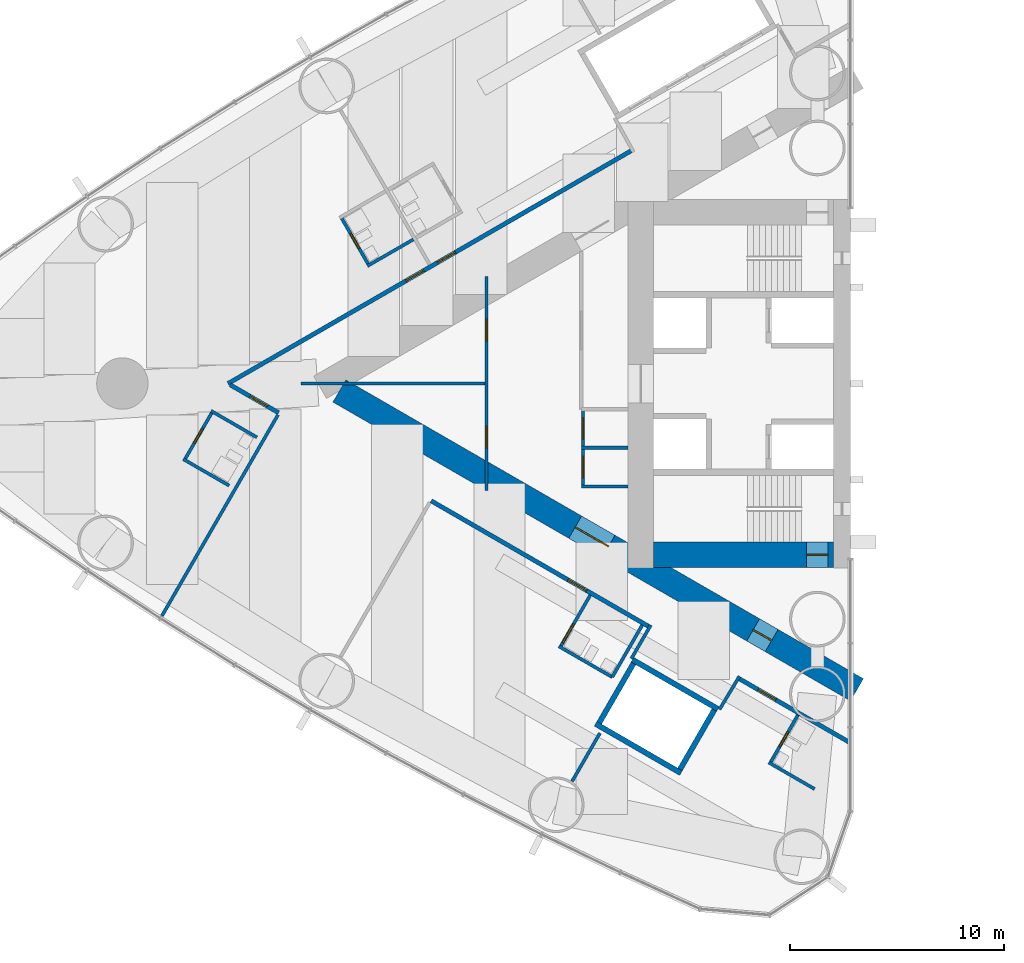
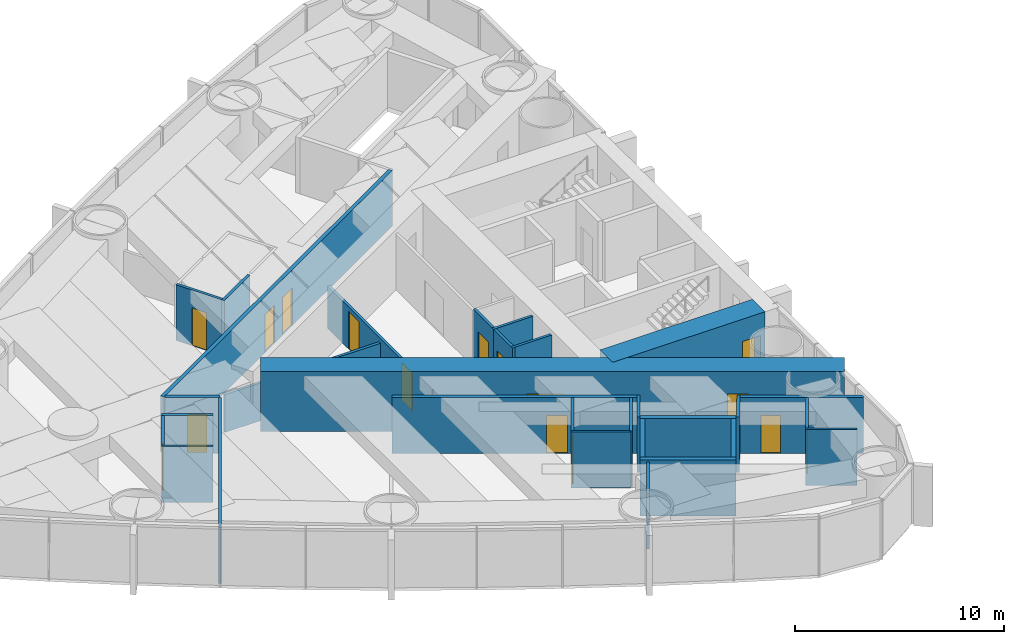
# One storey, part 11 of 18: 30 walls, 16 doors, 16 openings.
"""IFC4 building model written with IfcOpenShell, lengths in metres."""

import ifcopenshell
import ifcopenshell.guid

model = None  # the IFC model being written
_history = None  # IfcOwnerHistory: only IFC2X3 demands one
_inside = {}  # id of a spatial element -> (the spatial element, [elements in it])
_under = {}  # id of a project, library or spatial element -> (it, [spatial elements below it])
_declared = {}  # id of a project -> (the project, [libraries it declares])
_typed = {}  # id of a type object -> (the type object, [elements of that type])
_made_of = {}  # id of a material, layer set ... -> (it, [elements and type objects made of it])


def new_model(schema):
    """Start an empty IFC model of exactly this schema.

    Asked for "IFC4X3", IfcOpenShell would pick the latest addendum, in which some entities
    have other attributes; the version numbers below select the first issue.
    IFC2X3 requires an IfcOwnerHistory on every rooted entity: one is made here for all.
    """
    global model, _history
    if schema == "IFC4X3":
        model = ifcopenshell.file(schema_version=(4, 3, 0, 0))
    else:
        model = ifcopenshell.file(schema=schema)
    _inside.clear()
    _under.clear()
    _declared.clear()
    _typed.clear()
    _made_of.clear()
    _history = None
    if model.schema == "IFC2X3":
        org = make("IfcOrganization", Name="unknown")
        user = make(
            "IfcPersonAndOrganization",
            ThePerson=make("IfcPerson", FamilyName="unknown"),
            TheOrganization=org,
        )
        app = make(
            "IfcApplication",
            ApplicationDeveloper=org,
            Version="unknown",
            ApplicationFullName="unknown",
            ApplicationIdentifier="unknown",
        )
        _history = make(
            "IfcOwnerHistory",
            OwningUser=user,
            OwningApplication=app,
            ChangeAction="ADDED",
            CreationDate=0,
        )
    return model


def make(cls, **values):
    """One entity of the class cls with the attributes given. An attribute that is None is left unset."""
    return model.create_entity(
        cls, **{name: value for name, value in values.items() if value is not None}
    )


def rooted(cls, **values):
    """An entity with a GlobalId (a new one), such as an element, a storey or a relation."""
    return make(cls, GlobalId=ifcopenshell.guid.new(), OwnerHistory=_history, **values)


def si_unit(unit_type, name, prefix=None):
    """IfcSIUnit, for example si_unit("LENGTHUNIT", "METRE", prefix="MILLI")."""
    return make("IfcSIUnit", UnitType=unit_type, Prefix=prefix, Name=name)


def assignment(units):
    """IfcUnitAssignment: the units of a project."""
    return None if units is None else make("IfcUnitAssignment", Units=units)


def point(xyz):
    """IfcCartesianPoint."""
    return None if xyz is None else make("IfcCartesianPoint", Coordinates=xyz)


def direction(xyz):
    """IfcDirection."""
    return None if xyz is None else make("IfcDirection", DirectionRatios=xyz)


def frame(location, z_axis=None, x_axis=None):
    """IfcAxis2Placement3D, a coordinate frame: its origin and axes. An axis left out is left unset."""
    return make(
        "IfcAxis2Placement3D",
        Location=point(location),
        Axis=direction(z_axis),
        RefDirection=direction(x_axis),
    )


def frame_2d(location, x_axis=None):
    """IfcAxis2Placement2D, a coordinate frame in the plane: its origin and x axis."""
    return make(
        "IfcAxis2Placement2D", Location=point(location), RefDirection=direction(x_axis)
    )


def origin():
    """The frame at (0, 0, 0) with its axes left unset."""
    return frame((0.0, 0.0, 0.0))


def place(relative_to, where):
    """IfcLocalPlacement: puts the frame where relative to a parent placement (None: the world)."""
    return make(
        "IfcLocalPlacement", PlacementRelTo=relative_to, RelativePlacement=where
    )


def context(
    kind, dimensions, precision=None, world=None, true_north=None, identifier=None
):
    """IfcGeometricRepresentationContext, for example the 3D "Model" context."""
    return make(
        "IfcGeometricRepresentationContext",
        ContextIdentifier=identifier,
        ContextType=kind,
        CoordinateSpaceDimension=dimensions,
        Precision=precision,
        WorldCoordinateSystem=world,
        TrueNorth=true_north,
    )


def subcontext(parent, identifier, kind, view, scale=None):
    """IfcGeometricRepresentationSubContext, for example "Body" below "Model"."""
    return make(
        "IfcGeometricRepresentationSubContext",
        ContextIdentifier=identifier,
        ContextType=kind,
        ParentContext=parent,
        TargetScale=scale,
        TargetView=view,
    )


def project(units=None, contexts=None):
    """IfcProject with its units and contexts."""
    return rooted(
        "IfcProject",
        Name="project",
        RepresentationContexts=contexts,
        UnitsInContext=assignment(units),
    )


def spatial(cls, under=None, at=None, **own):
    """A site, building, storey or space (cls), placed at a placement, below another one or the project."""
    s = rooted(cls, ObjectPlacement=at, **own)
    if under is not None:
        _under.setdefault(under.id(), (under, []))[1].append(s)
    return s


def profile(cls, at=None, kind="AREA", **sizes):
    """A parametric profile (cls). Its sizes go by their IFC names, for example OverallWidth=200.0."""
    return make(cls, ProfileType=kind, Position=at, **sizes)


def rectangle(**sizes):
    """IfcRectangleProfileDef."""
    return profile("IfcRectangleProfileDef", **sizes)


def extrude(swept, where, along, depth):
    """IfcExtrudedAreaSolid: the profile swept, set in the frame where, extruded along a direction by depth."""
    return make(
        "IfcExtrudedAreaSolid",
        SweptArea=swept,
        Position=where,
        ExtrudedDirection=direction(along),
        Depth=depth,
    )


def shape(context_of_items, identifier, shape_type, items):
    """IfcShapeRepresentation: the items that make up one representation, for example the "Body"."""
    return make(
        "IfcShapeRepresentation",
        ContextOfItems=context_of_items,
        RepresentationIdentifier=identifier,
        RepresentationType=shape_type,
        Items=items,
    )


def material(Name=None, Category=None):
    """IfcMaterial."""
    return make("IfcMaterial", Name=Name, Category=Category)


def layer(
    of_material, thickness, ventilated=None, Name=None, Category=None, Priority=None
):
    """IfcMaterialLayer: one layer of a wall or slab, of a material (None: an air gap)."""
    return make(
        "IfcMaterialLayer",
        Material=of_material,
        LayerThickness=thickness,
        IsVentilated=ventilated,
        Name=Name,
        Category=Category,
        Priority=Priority,
    )


def layer_set(layers, Name=None):
    """IfcMaterialLayerSet."""
    return make("IfcMaterialLayerSet", MaterialLayers=layers, LayerSetName=Name)


def made_of(thing, what):
    """Note that an element or type object is made of a material, layer set ...; save() writes the relation."""
    if what is not None:
        _made_of.setdefault(what.id(), (what, []))[1].append(thing)
    return thing


def type_object(cls, material=None, **own):
    """A type object (cls), such as IfcWallType, which elements share."""
    return made_of(rooted(cls, **own), material)


def element(
    cls,
    number,
    at=None,
    inside=None,
    cuts=None,
    type_object=None,
    material=None,
    context=None,
    identifier="Body",
    shape_type=None,
    held_by="IfcProductDefinitionShape",
    body=None,
    shapes=None,
    **own,
):
    """One element of the class cls, such as IfcWall. Its Tag is "e" and its number.

    at: its placement. inside: the storey or other place that contains it. cuts: it is an
    opening in that element (IfcRelVoidsElement). A single representation is given by context,
    identifier, shape_type and body (its items); several are given by shapes. held_by: the class
    of the entity that holds the representations. save() writes the other relations.
    """
    e = rooted(cls, Tag="e%d" % number, ObjectPlacement=at, **own)
    if body is not None:
        shapes = [shape(context, identifier, shape_type, body)]
    if shapes is not None:
        e.Representation = make(held_by, Representations=shapes)
    if inside is not None:
        _inside.setdefault(inside.id(), (inside, []))[1].append(e)
    if cuts is not None:
        rooted(
            "IfcRelVoidsElement", RelatingBuildingElement=cuts, RelatedOpeningElement=e
        )
    if type_object is not None:
        _typed.setdefault(type_object.id(), (type_object, []))[1].append(e)
    return made_of(e, material)


def fill(opening, filler):
    """IfcRelFillsElement: the door or window that sits in an opening."""
    return rooted(
        "IfcRelFillsElement",
        RelatingOpeningElement=opening,
        RelatedBuildingElement=filler,
    )


def aggregate(whole, parts):
    """IfcRelAggregates: a whole, such as a stair, and the parts it consists of."""
    return rooted("IfcRelAggregates", RelatingObject=whole, RelatedObjects=parts)


def save(model, path):
    """Write the relations noted so far, then the file.

    IfcRelAggregates (storeys below a building ...), IfcRelContainedInSpatialStructure (elements
    in a storey), IfcRelDefinesByType, IfcRelAssociatesMaterial and IfcRelDeclares: one each for
    every whole, place, type object, material and project.
    """
    for whole, parts in _under.values():
        aggregate(whole, parts)
    for where, things in _inside.values():
        rooted(
            "IfcRelContainedInSpatialStructure",
            RelatedElements=things,
            RelatingStructure=where,
        )
    for kind, things in _typed.values():
        rooted("IfcRelDefinesByType", RelatedObjects=things, RelatingType=kind)
    for what, things in _made_of.values():
        rooted("IfcRelAssociatesMaterial", RelatedObjects=things, RelatingMaterial=what)
    for by, libraries in _declared.values():
        rooted("IfcRelDeclares", RelatingContext=by, RelatedDefinitions=libraries)
    model.write(path)


model = new_model("IFC4")

# Units and contexts
model_context = context("Model", 3, precision=1e-05, world=origin(), true_north=direction((0.0, 1.0)))
body_context = subcontext(model_context, "Body", "Model", "MODEL_VIEW")
ifc_project = project(units=[si_unit("LENGTHUNIT", "METRE"), si_unit("AREAUNIT", "SQUARE_METRE"), si_unit("VOLUMEUNIT", "CUBIC_METRE"), si_unit("PLANEANGLEUNIT", "RADIAN"), si_unit("MASSUNIT", "GRAM", prefix="KILO")], contexts=[model_context])

# Site, building, storey
site_placement = place(None, origin())
site = spatial("IfcSite", under=ifc_project, at=site_placement, CompositionType="ELEMENT")
building_placement = place(site_placement, origin())
building = spatial("IfcBuilding", under=site, at=building_placement, Name="Lancet Gate Hotel", CompositionType="ELEMENT")
storey_placement = place(building_placement, frame((0.0, 0.0, 115.10009765625)))
storey = spatial("IfcBuildingStorey", under=building, at=storey_placement, Name="L30", CompositionType="ELEMENT", Elevation=115.10009765625)

# Wall, opening, door
ifc_material_1 = material(Name="Moisture resistant board partition")
ifc_layer_1 = layer(ifc_material_1, 0.14990234375)
ifc_layer_set_1 = layer_set([ifc_layer_1], Name="Bathroom wall 150")
wall_type_1 = type_object("IfcWallType", Name="Bathroom wall 150", PredefinedType="PARTITIONING", material=ifc_layer_set_1)
wall_1_placement = place(storey_placement, frame((-49.99462890625, 5.52734375, 0.0), z_axis=(0.0, 0.0, 1.0), x_axis=(-0.500006934395, 0.866021400173, 0.0)))
wall_1 = element("IfcWall", 1, at=wall_1_placement, inside=storey, type_object=wall_type_1, Name="T1 bathroom wall 150 L30", PredefinedType="PARTITIONING", context=body_context, shape_type="SweptSolid", body=[
    extrude(rectangle(XDim=2.60009765625, YDim=0.14990234375, at=frame_2d((1.300048828125, 0.0))), origin(), (0.0, 0.0, 1.0), 3.25),
])
opening_1_placement = place(wall_1_placement, frame((0.89990234375, 0.0, 0.0)))
opening_1 = element("IfcOpeningElement", 2, at=opening_1_placement, cuts=wall_1, Name="Opening 3003-B", PredefinedType="OPENING", context=body_context, shape_type="SweptSolid", body=[
    extrude(rectangle(XDim=0.800048828125, YDim=2.199951171875, at=frame_2d((0.39990234375, 1.10009765625))), frame((0.0, 0.0849609375, 0.0), z_axis=(0.0, -1.0, 0.0), x_axis=(1.0, 0.0, 0.0)), (0.0, 0.0, 1.0), 0.169921875),
])
ifc_material_2 = material(Name="Timber door set", Category="wood")
door_type_1 = type_object("IfcDoorType", Name="Bathroom door 800", OperationType="SINGLE_SWING_RIGHT", PredefinedType="DOOR", material=ifc_material_2)
door_1_placement = place(opening_1_placement, origin())
door_1 = element("IfcDoor", 3, at=door_1_placement, inside=storey, type_object=door_type_1, Name="3003-B", OperationType="SINGLE_SWING_RIGHT", OverallHeight=2.199951171875, OverallWidth=0.800048828125, PredefinedType="DOOR", context=body_context, shape_type="SweptSolid", body=[
    extrude(rectangle(XDim=0.800048828125, YDim=2.199951171875, at=frame_2d((0.39990234375, 1.10009765625))), frame((0.0, 0.02490234375, 0.0), z_axis=(0.0, -1.0, 0.0), x_axis=(1.0, 0.0, 0.0)), (0.0, 0.0, 1.0), 0.050048828125),
])
fill(opening_1, door_1)

# Walls
for number, where, z_axis, x_axis, name in (
    (4, (-47.916015625, 6.727294921875, 0.0), (0.0, 0.0, 1.0), (-0.866031185235, -0.4999899861, 0.0), "T1 bathroom wall 150 L30"),
    (5, (-56.51708984375, -4.763916015625, 0.0), (0.0, 0.0, 1.0), (-0.866031185235, 0.4999899861, 0.0), "T1 bathroom wall 150 L30"),
):
    element("IfcWall", number, at=place(storey_placement, frame(where, z_axis=z_axis, x_axis=x_axis)), inside=storey, type_object=wall_type_1, Name=name, PredefinedType="PARTITIONING", context=body_context, shape_type="SweptSolid", body=[
        extrude(rectangle(XDim=2.47509765625, YDim=0.14990234375, at=frame_2d((1.237548828125, 0.0))), origin(), (0.0, 0.0, 1.0), 3.25),
    ])

# Wall, opening, door
wall_2_placement = place(storey_placement, frame((-57.295654296875, -1.312255859375, 0.0), z_axis=(0.0, 0.0, 1.0), x_axis=(-0.49997716683, -0.86603858612, 0.0)))
wall_2 = element("IfcWall", 6, at=wall_2_placement, inside=storey, type_object=wall_type_1, Name="T1 bathroom wall 150 L30", PredefinedType="PARTITIONING", context=body_context, shape_type="SweptSolid", body=[
    extrude(rectangle(XDim=2.599609375, YDim=0.14990234375, at=frame_2d((1.2998046875, 0.0))), origin(), (0.0, 0.0, 1.0), 3.25),
])
opening_2_placement = place(wall_2_placement, frame((0.89990234375, 0.0, 0.0)))
opening_2 = element("IfcOpeningElement", 7, at=opening_2_placement, cuts=wall_2, Name="Opening 3005-B", PredefinedType="OPENING", context=body_context, shape_type="SweptSolid", body=[
    extrude(rectangle(XDim=0.800048828125, YDim=2.199951171875, at=frame_2d((0.39990234375, 1.10009765625))), frame((0.0, 0.0849609375, 0.0), z_axis=(0.0, -1.0, 0.0), x_axis=(1.0, 0.0, 0.0)), (0.0, 0.0, 1.0), 0.169921875),
])
door_2_placement = place(opening_2_placement, origin())
door_2 = element("IfcDoor", 8, at=door_2_placement, inside=storey, type_object=door_type_1, Name="3005-B", OperationType="SINGLE_SWING_RIGHT", OverallHeight=2.199951171875, OverallWidth=0.800048828125, PredefinedType="DOOR", context=body_context, shape_type="SweptSolid", body=[
    extrude(rectangle(XDim=0.800048828125, YDim=2.199951171875, at=frame_2d((0.39990234375, 1.10009765625))), frame((0.0, 0.02490234375, 0.0), z_axis=(0.0, -1.0, 0.0), x_axis=(1.0, 0.0, 0.0)), (0.0, 0.0, 1.0), 0.050048828125),
])
fill(opening_2, door_2)

# Walls
wall_3_placement = place(storey_placement, frame((-55.217041015625, -2.51220703125, 0.0), z_axis=(0.0, 0.0, 1.0), x_axis=(-0.866031185235, 0.4999899861, 0.0)))
element("IfcWall", 9, at=wall_3_placement, inside=storey, type_object=wall_type_1, Name="T1 bathroom wall 150 L30", PredefinedType="PARTITIONING", context=body_context, shape_type="SweptSolid", body=[
    extrude(rectangle(XDim=2.47509765625, YDim=0.14990234375, at=frame_2d((1.237548828125, 0.0))), origin(), (0.0, 0.0, 1.0), 3.25),
])
wall_4_placement = place(storey_placement, frame((-38.630126953125, -13.705322265625, 0.0), z_axis=(0.0, 0.0, 1.0), x_axis=(-0.866018712932, 0.500011588718, 0.0)))
element("IfcWall", 10, at=wall_4_placement, inside=storey, type_object=wall_type_1, Name="T1 bathroom wall 150 L30", PredefinedType="PARTITIONING", context=body_context, shape_type="SweptSolid", body=[
    extrude(rectangle(XDim=2.875, YDim=0.14990234375, at=frame_2d((1.4375, 0.0))), origin(), (0.0, 0.0, 1.0), 3.25),
])

# Wall, opening, door
wall_5_placement = place(storey_placement, frame((-39.65478515625, -9.88037109375, 0.0), z_axis=(0.0, 0.0, 1.0), x_axis=(-0.500049511043, -0.865996816683, 0.0)))
wall_5 = element("IfcWall", 11, at=wall_5_placement, inside=storey, type_object=wall_type_1, Name="T1 bathroom wall 150 L30", PredefinedType="PARTITIONING", context=body_context, shape_type="SweptSolid", body=[
    extrude(rectangle(XDim=2.800048828125, YDim=0.14990234375, at=frame_2d((1.39990234375, 0.0))), origin(), (0.0, 0.0, 1.0), 3.25),
])
opening_3_placement = place(wall_5_placement, frame((1.550048828125, 0.0, 0.0)))
opening_3 = element("IfcOpeningElement", 12, at=opening_3_placement, cuts=wall_5, Name="Opening 3007-B", PredefinedType="OPENING", context=body_context, shape_type="SweptSolid", body=[
    extrude(rectangle(XDim=1.0, YDim=2.199951171875, at=frame_2d((0.5, 1.10009765625))), frame((0.0, 0.0849609375, 0.0), z_axis=(0.0, -1.0, 0.0), x_axis=(1.0, 0.0, 0.0)), (0.0, 0.0, 1.0), 0.169921875),
])
ifc_material_3 = material(Name="Timber door set", Category="wood")
door_type_2 = type_object("IfcDoorType", Name="Accessible en-suite door 1000", OperationType="SINGLE_SWING_RIGHT", PredefinedType="DOOR", material=ifc_material_3)
door_3_placement = place(opening_3_placement, origin())
door_3 = element("IfcDoor", 13, at=door_3_placement, inside=storey, type_object=door_type_2, Name="3007-B", OperationType="SINGLE_SWING_RIGHT", OverallHeight=2.199951171875, OverallWidth=1.0, PredefinedType="DOOR", context=body_context, shape_type="SweptSolid", body=[
    extrude(rectangle(XDim=1.0, YDim=2.199951171875, at=frame_2d((0.5, 1.10009765625))), frame((0.0, 0.02490234375, 0.0), z_axis=(0.0, -1.0, 0.0), x_axis=(1.0, 0.0, 0.0)), (0.0, 0.0, 1.0), 0.050048828125),
])
fill(opening_3, door_3)

# Walls
wall_6_placement = place(storey_placement, frame((-37.22998046875, -11.280517578125, 0.0), z_axis=(0.0, 0.0, 1.0), x_axis=(-0.500049511043, -0.865996816683, 0.0)))
element("IfcWall", 14, at=wall_6_placement, inside=storey, type_object=wall_type_1, Name="T1 bathroom wall 150 L30", PredefinedType="PARTITIONING", context=body_context, shape_type="SweptSolid", body=[
    extrude(rectangle(XDim=2.800048828125, YDim=0.14990234375, at=frame_2d((1.39990234375, 0.0))), origin(), (0.0, 0.0, 1.0), 3.25),
])
wall_7_placement = place(storey_placement, frame((-29.181884765625, -18.92919921875, 0.0), z_axis=(0.0, 0.0, 1.0), x_axis=(-0.866006523861, 0.500032699561, 0.0)))
element("IfcWall", 15, at=wall_7_placement, inside=storey, type_object=wall_type_1, Name="T1 bathroom wall 150 L30", PredefinedType="PARTITIONING", context=body_context, shape_type="SweptSolid", body=[
    extrude(rectangle(XDim=2.474853515625, YDim=0.14990234375, at=frame_2d((1.2373046875, 0.0))), origin(), (0.0, 0.0, 1.0), 3.25),
])

# Wall, opening, door
wall_8_placement = place(storey_placement, frame((-29.960205078125, -15.4775390625, 0.0), z_axis=(0.0, 0.0, 1.0), x_axis=(-0.500006934395, -0.866021400173, 0.0)))
wall_8 = element("IfcWall", 16, at=wall_8_placement, inside=storey, type_object=wall_type_1, Name="T1 bathroom wall 150 L30", PredefinedType="PARTITIONING", context=body_context, shape_type="SweptSolid", body=[
    extrude(rectangle(XDim=2.60009765625, YDim=0.14990234375, at=frame_2d((1.300048828125, 0.0))), origin(), (0.0, 0.0, 1.0), 3.25),
])
opening_4_placement = place(wall_8_placement, frame((0.89990234375, 0.0, 0.0)))
opening_4 = element("IfcOpeningElement", 17, at=opening_4_placement, cuts=wall_8, Name="Opening 3008-B", PredefinedType="OPENING", context=body_context, shape_type="SweptSolid", body=[
    extrude(rectangle(XDim=0.800048828125, YDim=2.199951171875, at=frame_2d((0.39990234375, 1.10009765625))), frame((0.0, 0.0849609375, 0.0), z_axis=(0.0, -1.0, 0.0), x_axis=(1.0, 0.0, 0.0)), (0.0, 0.0, 1.0), 0.169921875),
])
door_4_placement = place(opening_4_placement, origin())
door_4 = element("IfcDoor", 18, at=door_4_placement, inside=storey, type_object=door_type_1, Name="3008-B", OperationType="SINGLE_SWING_RIGHT", OverallHeight=2.199951171875, OverallWidth=0.800048828125, PredefinedType="DOOR", context=body_context, shape_type="SweptSolid", body=[
    extrude(rectangle(XDim=0.800048828125, YDim=2.199951171875, at=frame_2d((0.39990234375, 1.10009765625))), frame((0.0, 0.02490234375, 0.0), z_axis=(0.0, -1.0, 0.0), x_axis=(1.0, 0.0, 0.0)), (0.0, 0.0, 1.0), 0.050048828125),
])
fill(opening_4, door_4)

# Wall, openings, doors
ifc_material_4 = material(Name="Concrete C70/85", Category="concrete")
ifc_layer_2 = layer(ifc_material_4, 1.199951171875)
ifc_layer_set_2 = layer_set([ifc_layer_2], Name="Buttress wall 1200")
wall_type_2 = type_object("IfcWallType", Name="Buttress wall 1200", PredefinedType="SHEAR", material=ifc_layer_set_2)
wall_9_placement = place(storey_placement, frame((-27.199951171875, -14.300048828125, 0.0), z_axis=(0.0, 0.0, 1.0), x_axis=(-0.866024021859, 0.500002393557, 0.0)))
wall_9 = element("IfcWall", 19, at=wall_9_placement, inside=storey, type_object=wall_type_2, Name="T1 buttress wall N L30", PredefinedType="SHEAR", context=body_context, shape_type="SweptSolid", body=[
    extrude(rectangle(XDim=27.906982421875, YDim=1.199951171875, at=frame_2d((13.95361328125, 0.0))), origin(), (0.0, 0.0, 1.0), 3.5),
])
opening_5_placement = place(wall_9_placement, frame((4.60009765625, 0.0, 0.0)))
opening_5 = element("IfcOpeningElement", 20, at=opening_5_placement, cuts=wall_9, Name="Opening T1-L30-LN", PredefinedType="OPENING", context=body_context, shape_type="SweptSolid", body=[
    extrude(rectangle(XDim=1.0, YDim=2.199951171875, at=frame_2d((0.5, 1.10009765625))), frame((0.0, 0.60986328125, 0.0), z_axis=(0.0, -1.0, 0.0), x_axis=(1.0, 0.0, 0.0)), (0.0, 0.0, 1.0), 1.219970703125),
])
opening_6_placement = place(wall_9_placement, frame((13.39453125, 0.0, 0.0)))
opening_6 = element("IfcOpeningElement", 21, at=opening_6_placement, cuts=wall_9, Name="Opening T1-L30-LHN", PredefinedType="OPENING", context=body_context, shape_type="SweptSolid", body=[
    extrude(rectangle(XDim=1.800048828125, YDim=2.199951171875, at=frame_2d((0.89990234375, 1.10009765625))), frame((0.0, 0.60986328125, 0.0), z_axis=(0.0, -1.0, 0.0), x_axis=(1.0, 0.0, 0.0)), (0.0, 0.0, 1.0), 1.219970703125),
])
ifc_material_5 = material(Name="Timber door set", Category="wood")
door_type_3 = type_object("IfcDoorType", Name="Lobby double door 1800", OperationType="DOUBLE_DOOR_SINGLE_SWING", PredefinedType="DOOR", material=ifc_material_5)
door_5_placement = place(opening_6_placement, origin())
door_5 = element("IfcDoor", 22, at=door_5_placement, inside=storey, type_object=door_type_3, Name="T1-L30-LHN", OperationType="DOUBLE_DOOR_SINGLE_SWING", OverallHeight=2.199951171875, OverallWidth=1.800048828125, PredefinedType="DOOR", context=body_context, shape_type="SweptSolid", body=[
    extrude(rectangle(XDim=1.800048828125, YDim=2.199951171875, at=frame_2d((0.89990234375, 1.10009765625))), frame((0.0, 0.02490234375, 0.0), z_axis=(0.0, -1.0, 0.0), x_axis=(1.0, 0.0, 0.0)), (0.0, 0.0, 1.0), 0.050048828125),
])
fill(opening_6, door_5)
ifc_material_6 = material(Name="Timber door set", Category="wood")
door_type_4 = type_object("IfcDoorType", Name="Stair lobby door 1000", OperationType="SINGLE_SWING_LEFT", PredefinedType="DOOR", material=ifc_material_6)
door_6_placement = place(opening_5_placement, origin())
door_6 = element("IfcDoor", 23, at=door_6_placement, inside=storey, type_object=door_type_4, Name="T1-L30-LN", OperationType="SINGLE_SWING_LEFT", OverallHeight=2.199951171875, OverallWidth=1.0, PredefinedType="DOOR", context=body_context, shape_type="SweptSolid", body=[
    extrude(rectangle(XDim=1.0, YDim=2.199951171875, at=frame_2d((0.5, 1.10009765625))), frame((0.0, 0.02490234375, 0.0), z_axis=(0.0, -1.0, 0.0), x_axis=(1.0, 0.0, 0.0)), (0.0, 0.0, 1.0), 0.050048828125),
])
fill(opening_5, door_6)

# Wall, opening, door
ifc_material_7 = material(Name="Concrete C70/85", Category="concrete")
ifc_layer_3 = layer(ifc_material_7, 1.199951171875)
ifc_layer_set_3 = layer_set([ifc_layer_3], Name="Core wall 1200")
wall_type_3 = type_object("IfcWallType", Name="Core wall 1200", PredefinedType="SHEAR", material=ifc_layer_set_3)
wall_10_placement = place(storey_placement, frame((-28.300048828125, -8.0, 0.0), z_axis=(0.0, 0.0, 1.0), x_axis=(-1.0, 0.0, 0.0)))
wall_10 = element("IfcWall", 24, at=wall_10_placement, inside=storey, type_object=wall_type_3, Name="T1 core wall side-N L30", PredefinedType="SHEAR", context=body_context, shape_type="SweptSolid", body=[
    extrude(rectangle(XDim=8.39990234375, YDim=1.199951171875, at=frame_2d((4.199951171875, 0.0))), origin(), (0.0, 0.0, 1.0), 3.5),
])
opening_7_placement = place(wall_10_placement, frame((0.25, 0.0, 0.0)))
opening_7 = element("IfcOpeningElement", 25, at=opening_7_placement, cuts=wall_10, Name="Opening T1-L30-ST2", PredefinedType="OPENING", context=body_context, shape_type="SweptSolid", body=[
    extrude(rectangle(XDim=1.0, YDim=2.199951171875, at=frame_2d((0.5, 1.10009765625))), frame((0.0, 0.60986328125, 0.0), z_axis=(0.0, -1.0, 0.0), x_axis=(1.0, 0.0, 0.0)), (0.0, 0.0, 1.0), 1.219970703125),
])
ifc_material_8 = material(Name="Timber door set", Category="wood")
door_type_5 = type_object("IfcDoorType", Name="Stair door 1000", OperationType="SINGLE_SWING_RIGHT", PredefinedType="DOOR", material=ifc_material_8)
door_7_placement = place(opening_7_placement, origin())
door_7 = element("IfcDoor", 26, at=door_7_placement, inside=storey, type_object=door_type_5, Name="T1-L30-ST2", OperationType="SINGLE_SWING_RIGHT", OverallHeight=2.199951171875, OverallWidth=1.0, PredefinedType="DOOR", context=body_context, shape_type="SweptSolid", body=[
    extrude(rectangle(XDim=1.0, YDim=2.199951171875, at=frame_2d((0.5, 1.10009765625))), frame((0.0, 0.02490234375, 0.0), z_axis=(0.0, -1.0, 0.0), x_axis=(1.0, 0.0, 0.0)), (0.0, 0.0, 1.0), 0.050048828125),
])
fill(opening_7, door_7)

# Wall, openings, doors
ifc_material_9 = material(Name="Gypsum board partition")
ifc_layer_4 = layer(ifc_material_9, 0.199951171875)
ifc_layer_set_4 = layer_set([ifc_layer_4], Name="Corridor wall 200")
wall_type_4 = type_object("IfcWallType", Name="Corridor wall 200", PredefinedType="PARTITIONING", material=ifc_layer_set_4)
wall_11_placement = place(storey_placement, frame((-37.699951171875, 10.8935546875, 0.0), z_axis=(0.0, 0.0, 1.0), x_axis=(-0.866027905338, -0.499995667157, 0.0)))
wall_11 = element("IfcWall", 27, at=wall_11_placement, inside=storey, type_object=wall_type_4, Name="T1 corridor wall 200 L30", PredefinedType="PARTITIONING", context=body_context, shape_type="SweptSolid", body=[
    extrude(rectangle(XDim=21.787353515625, YDim=0.199951171875, at=frame_2d((10.8935546875, 0.0))), origin(), (0.0, 0.0, 1.0), 3.25),
])
opening_8_placement = place(wall_11_placement, frame((11.23046875, 0.0, 0.0)))
opening_8 = element("IfcOpeningElement", 28, at=opening_8_placement, cuts=wall_11, Name="Opening 3003-E", PredefinedType="OPENING", context=body_context, shape_type="SweptSolid", body=[
    extrude(rectangle(XDim=0.949951171875, YDim=2.199951171875, at=frame_2d((0.47509765625, 1.10009765625))), frame((0.0, 0.10986328125, 0.0), z_axis=(0.0, -1.0, 0.0), x_axis=(1.0, 0.0, 0.0)), (0.0, 0.0, 1.0), 0.219970703125),
])
opening_9_placement = place(wall_11_placement, frame((9.530517578125, 0.0, 0.0)))
opening_9 = element("IfcOpeningElement", 29, at=opening_9_placement, cuts=wall_11, Name="Opening 3002-E", PredefinedType="OPENING", context=body_context, shape_type="SweptSolid", body=[
    extrude(rectangle(XDim=0.949951171875, YDim=2.199951171875, at=frame_2d((0.47509765625, 1.10009765625))), frame((0.0, 0.10986328125, 0.0), z_axis=(0.0, -1.0, 0.0), x_axis=(1.0, 0.0, 0.0)), (0.0, 0.0, 1.0), 0.219970703125),
])
ifc_material_10 = material(Name="Timber door set", Category="wood")
door_type_6 = type_object("IfcDoorType", Name="Guest room entry door 950", OperationType="SINGLE_SWING_LEFT", PredefinedType="DOOR", material=ifc_material_10)
door_8_placement = place(opening_8_placement, origin())
door_8 = element("IfcDoor", 30, at=door_8_placement, inside=storey, type_object=door_type_6, Name="3003-E", OperationType="SINGLE_SWING_LEFT", OverallHeight=2.199951171875, OverallWidth=0.949951171875, PredefinedType="DOOR", context=body_context, shape_type="SweptSolid", body=[
    extrude(rectangle(XDim=0.949951171875, YDim=2.199951171875, at=frame_2d((0.47509765625, 1.10009765625))), frame((0.0, 0.02490234375, 0.0), z_axis=(0.0, -1.0, 0.0), x_axis=(1.0, 0.0, 0.0)), (0.0, 0.0, 1.0), 0.050048828125),
])
fill(opening_8, door_8)
door_9_placement = place(opening_9_placement, origin())
door_9 = element("IfcDoor", 31, at=door_9_placement, inside=storey, type_object=door_type_6, Name="3002-E", OperationType="SINGLE_SWING_LEFT", OverallHeight=2.199951171875, OverallWidth=0.949951171875, PredefinedType="DOOR", context=body_context, shape_type="SweptSolid", body=[
    extrude(rectangle(XDim=0.949951171875, YDim=2.199951171875, at=frame_2d((0.47509765625, 1.10009765625))), frame((0.0, 0.02490234375, 0.0), z_axis=(0.0, -1.0, 0.0), x_axis=(1.0, 0.0, 0.0)), (0.0, 0.0, 1.0), 0.050048828125),
])
fill(opening_9, door_9)

# Wall, opening, door
wall_12_placement = place(storey_placement, frame((-27.572021484375, -16.740966796875, 0.0), z_axis=(0.0, 0.0, 1.0), x_axis=(-0.866024464444, 0.500001626982, 0.0)))
wall_12 = element("IfcWall", 32, at=wall_12_placement, inside=storey, type_object=wall_type_4, Name="T1 corridor wall 200 L30", PredefinedType="PARTITIONING", context=body_context, shape_type="SweptSolid", body=[
    extrude(rectangle(XDim=5.955078125, YDim=0.199951171875, at=frame_2d((2.9775390625, 0.0))), origin(), (0.0, 0.0, 1.0), 3.25),
])
opening_10_placement = place(wall_12_placement, frame((3.949951171875, 0.0, 0.0)))
opening_10 = element("IfcOpeningElement", 33, at=opening_10_placement, cuts=wall_12, Name="Opening 3008-E", PredefinedType="OPENING", context=body_context, shape_type="SweptSolid", body=[
    extrude(rectangle(XDim=0.949951171875, YDim=2.199951171875, at=frame_2d((0.47509765625, 1.10009765625))), frame((0.0, 0.10986328125, 0.0), z_axis=(0.0, -1.0, 0.0), x_axis=(1.0, 0.0, 0.0)), (0.0, 0.0, 1.0), 0.219970703125),
])
door_10_placement = place(opening_10_placement, origin())
door_10 = element("IfcDoor", 34, at=door_10_placement, inside=storey, type_object=door_type_6, Name="3008-E", OperationType="SINGLE_SWING_LEFT", OverallHeight=2.199951171875, OverallWidth=0.949951171875, PredefinedType="DOOR", context=body_context, shape_type="SweptSolid", body=[
    extrude(rectangle(XDim=0.949951171875, YDim=2.199951171875, at=frame_2d((0.47509765625, 1.10009765625))), frame((0.0, 0.02490234375, 0.0), z_axis=(0.0, -1.0, 0.0), x_axis=(1.0, 0.0, 0.0)), (0.0, 0.0, 1.0), 0.050048828125),
])
fill(opening_10, door_10)

wall_13_placement = place(storey_placement, frame((-36.920166015625, -11.34375, 0.0), z_axis=(0.0, 0.0, 1.0), x_axis=(-0.866027897759, 0.499995680284, 0.0)))
wall_13 = element("IfcWall", 35, at=wall_13_placement, inside=storey, type_object=wall_type_4, Name="T1 corridor wall 200 L30", PredefinedType="PARTITIONING", context=body_context, shape_type="SweptSolid", body=[
    extrude(rectangle(XDim=11.73095703125, YDim=0.199951171875, at=frame_2d((5.865478515625, 0.0))), origin(), (0.0, 0.0, 1.0), 3.25),
])
opening_11_placement = place(wall_13_placement, frame((3.35009765625, 0.0, 0.0)))
opening_11 = element("IfcOpeningElement", 36, at=opening_11_placement, cuts=wall_13, Name="Opening 3007-E", PredefinedType="OPENING", context=body_context, shape_type="SweptSolid", body=[
    extrude(rectangle(XDim=1.0, YDim=2.199951171875, at=frame_2d((0.5, 1.10009765625))), frame((0.0, 0.10986328125, 0.0), z_axis=(0.0, -1.0, 0.0), x_axis=(1.0, 0.0, 0.0)), (0.0, 0.0, 1.0), 0.219970703125),
])
ifc_material_11 = material(Name="Timber door set", Category="wood")
door_type_7 = type_object("IfcDoorType", Name="Accessible guest room door 1000", OperationType="SINGLE_SWING_LEFT", PredefinedType="DOOR", material=ifc_material_11)
door_11_placement = place(opening_11_placement, origin())
door_11 = element("IfcDoor", 37, at=door_11_placement, inside=storey, type_object=door_type_7, Name="3007-E", OperationType="SINGLE_SWING_LEFT", OverallHeight=2.199951171875, OverallWidth=1.0, PredefinedType="DOOR", context=body_context, shape_type="SweptSolid", body=[
    extrude(rectangle(XDim=1.0, YDim=2.199951171875, at=frame_2d((0.5, 1.10009765625))), frame((0.0, 0.02490234375, 0.0), z_axis=(0.0, -1.0, 0.0), x_axis=(1.0, 0.0, 0.0)), (0.0, 0.0, 1.0), 0.050048828125),
])
fill(opening_11, door_11)

wall_14_placement = place(storey_placement, frame((-54.207275390625, -1.363037109375, 0.0), z_axis=(0.0, 0.0, 1.0), x_axis=(-0.866049872286, 0.499957616916, 0.0)))
wall_14 = element("IfcWall", 38, at=wall_14_placement, inside=storey, type_object=wall_type_4, Name="T1 corridor wall 200 L30", PredefinedType="PARTITIONING", context=body_context, shape_type="SweptSolid", body=[
    extrude(rectangle(XDim=2.606201171875, YDim=0.199951171875, at=frame_2d((1.30322265625, 0.0))), origin(), (0.0, 0.0, 1.0), 3.25),
])
opening_12_placement = place(wall_14_placement, frame((0.60009765625, 0.0, 0.0)))
opening_12 = element("IfcOpeningElement", 39, at=opening_12_placement, cuts=wall_14, Name="Opening 3005-E", PredefinedType="OPENING", context=body_context, shape_type="SweptSolid", body=[
    extrude(rectangle(XDim=0.949951171875, YDim=2.199951171875, at=frame_2d((0.47509765625, 1.10009765625))), frame((0.0, 0.10986328125, 0.0), z_axis=(0.0, -1.0, 0.0), x_axis=(1.0, 0.0, 0.0)), (0.0, 0.0, 1.0), 0.219970703125),
])
door_12_placement = place(opening_12_placement, origin())
door_12 = element("IfcDoor", 40, at=door_12_placement, inside=storey, type_object=door_type_6, Name="3005-E", OperationType="SINGLE_SWING_LEFT", OverallHeight=2.199951171875, OverallWidth=0.949951171875, PredefinedType="DOOR", context=body_context, shape_type="SweptSolid", body=[
    extrude(rectangle(XDim=0.949951171875, YDim=2.199951171875, at=frame_2d((0.47509765625, 1.10009765625))), frame((0.0, 0.02490234375, 0.0), z_axis=(0.0, -1.0, 0.0), x_axis=(1.0, 0.0, 0.0)), (0.0, 0.0, 1.0), 0.050048828125),
])
fill(opening_12, door_12)

# Walls
ifc_material_12 = material(Name="Gypsum board partition")
ifc_layer_5 = layer(ifc_material_12, 0.25)
ifc_layer_set_5 = layer_set([ifc_layer_5], Name="Lift shaft partition 250")
wall_type_5 = type_object("IfcWallType", Name="Lift shaft partition 250", PredefinedType="PARTITIONING", material=ifc_layer_set_5)
wall_15_placement = place(storey_placement, frame((-33.695556640625, -15.197265625, 0.0), z_axis=(0.0, 0.0, 1.0), x_axis=(-0.865976953817, 0.500083908417, 0.0)))
element("IfcWall", 41, at=wall_15_placement, inside=storey, type_object=wall_type_5, Name="T1 lift shaft wall EX L30", PredefinedType="PARTITIONING", context=body_context, shape_type="SweptSolid", body=[
    extrude(rectangle(XDim=4.599365234375, YDim=0.25, at=frame_2d((2.2998046875, 0.0))), origin(), (0.0, 0.0, 1.0), 3.25),
])
wall_16_placement = place(storey_placement, frame((-35.42041015625, -18.185791015625, 0.0), z_axis=(0.0, 0.0, 1.0), x_axis=(-0.865990227814, 0.50006092162, 0.0)))
element("IfcWall", 42, at=wall_16_placement, inside=storey, type_object=wall_type_5, Name="T1 lift shaft wall EX L30", PredefinedType="PARTITIONING", context=body_context, shape_type="SweptSolid", body=[
    extrude(rectangle(XDim=4.599609375, YDim=0.25, at=frame_2d((2.2998046875, 0.0))), origin(), (0.0, 0.0, 1.0), 3.25),
])
wall_17_placement = place(storey_placement, frame((-33.8662109375, -15.242919921875, 0.0), z_axis=(0.0, 0.0, 1.0), x_axis=(-0.499929347863, -0.866066190972, 0.0)))
element("IfcWall", 43, at=wall_17_placement, inside=storey, type_object=wall_type_5, Name="T1 lift shaft wall EX L30", PredefinedType="PARTITIONING", context=body_context, shape_type="SweptSolid", body=[
    extrude(rectangle(XDim=3.20068359375, YDim=0.25, at=frame_2d((1.600341796875, 0.0))), origin(), (0.0, 0.0, 1.0), 3.25),
])
wall_18_placement = place(storey_placement, frame((-37.6328125, -13.068115234375, 0.0), z_axis=(0.0, 0.0, 1.0), x_axis=(-0.499872130319, -0.866099216793, 0.0)))
element("IfcWall", 44, at=wall_18_placement, inside=storey, type_object=wall_type_5, Name="T1 lift shaft wall EX L30", PredefinedType="PARTITIONING", context=body_context, shape_type="SweptSolid", body=[
    extrude(rectangle(XDim=3.200439453125, YDim=0.25, at=frame_2d((1.60009765625, 0.0))), origin(), (0.0, 0.0, 1.0), 3.25),
])
ifc_material_13 = material(Name="Gypsum board partition")
ifc_layer_6 = layer(ifc_material_13, 0.14990234375)
ifc_layer_set_6 = layer_set([ifc_layer_6], Name="Party wall 150")
wall_type_6 = type_object("IfcWallType", Name="Party wall 150", PredefinedType="PARTITIONING", material=ifc_layer_set_6)
wall_19_placement = place(storey_placement, frame((-54.235595703125, -1.462158203125, 0.0), z_axis=(0.0, 0.0, 1.0), x_axis=(-0.499990351854, -0.866030974073, 0.0)))
element("IfcWall", 45, at=wall_19_placement, inside=storey, type_object=wall_type_6, Name="T1 party wall 150 L30", PredefinedType="PARTITIONING", context=body_context, shape_type="SweptSolid", body=[
    extrude(rectangle(XDim=10.833740234375, YDim=0.14990234375, at=frame_2d((5.4169921875, 0.0))), origin(), (0.0, 0.0, 1.0), 3.25),
])
wall_20_placement = place(storey_placement, frame((-39.2021484375, -16.319580078125, 0.0), z_axis=(0.0, 0.0, 1.0), x_axis=(-0.49997716683, -0.86603858612, 0.0)))
element("IfcWall", 46, at=wall_20_placement, inside=storey, type_object=wall_type_6, Name="T1 party wall 150 L30", PredefinedType="PARTITIONING", context=body_context, shape_type="SweptSolid", body=[
    extrude(rectangle(XDim=2.599609375, YDim=0.14990234375, at=frame_2d((1.2998046875, 0.0))), origin(), (0.0, 0.0, 1.0), 3.25),
])
ifc_material_14 = material(Name="Gypsum board partition")
ifc_layer_7 = layer(ifc_material_14, 0.14990234375)
ifc_layer_set_7 = layer_set([ifc_layer_7], Name="Service room wall 150")
wall_type_7 = type_object("IfcWallType", Name="Service room wall 150", PredefinedType="PARTITIONING", material=ifc_layer_set_7)
wall_21_placement = place(storey_placement, frame((-36.831298828125, -11.27978515625, 0.0), z_axis=(0.0, 0.0, 1.0), x_axis=(-0.499937177781, -0.866061671171, 0.0)))
element("IfcWall", 47, at=wall_21_placement, inside=storey, type_object=wall_type_7, Name="T1 service room wall 150 L30", PredefinedType="PARTITIONING", context=body_context, shape_type="SweptSolid", body=[
    extrude(rectangle(XDim=1.804443359375, YDim=0.14990234375, at=frame_2d((0.90234375, 0.0))), origin(), (0.0, 0.0, 1.0), 3.25),
])
wall_22_placement = place(storey_placement, frame((-33.62060546875, -15.217529296875, 0.0), z_axis=(0.0, 0.0, 1.0), x_axis=(0.514336634837, 0.857588377991, 0.0)))
element("IfcWall", 48, at=wall_22_placement, inside=storey, type_object=wall_type_7, Name="T1 service room wall 150 L30", PredefinedType="PARTITIONING", context=body_context, shape_type="SweptSolid", body=[
    extrude(rectangle(XDim=1.80517578125, YDim=0.14990234375, at=frame_2d((0.902587890625, 0.0))), origin(), (0.0, 0.0, 1.0), 3.25),
])
for number, where, z_axis, x_axis, name in (
    (49, (-37.89990234375, -3.0, 0.0), (0.0, 0.0, 1.0), (-1.0, 0.0, 0.0), "T1 service room wall 150 L30"),
    (50, (-37.89990234375, -4.800048828125, 0.0), (0.0, 0.0, 1.0), (-1.0, 0.0, 0.0), "T1 service room wall 150 L30"),
):
    element("IfcWall", number, at=place(storey_placement, frame(where, z_axis=z_axis, x_axis=x_axis)), inside=storey, type_object=wall_type_7, Name=name, PredefinedType="PARTITIONING", context=body_context, shape_type="SweptSolid", body=[
        extrude(rectangle(XDim=2.175048828125, YDim=0.14990234375, at=frame_2d((1.08740234375, 0.0))), origin(), (0.0, 0.0, 1.0), 3.25),
    ])

# Wall, opening, door
wall_23_placement = place(storey_placement, frame((-40.0, -1.125, 0.0), z_axis=(0.0, 0.0, 1.0), x_axis=(0.0, -1.0, 0.0)))
wall_23 = element("IfcWall", 51, at=wall_23_placement, inside=storey, type_object=wall_type_7, Name="T1 service room wall 150 L30", PredefinedType="PARTITIONING", context=body_context, shape_type="SweptSolid", body=[
    extrude(rectangle(XDim=1.949951171875, YDim=0.14990234375, at=frame_2d((0.97509765625, 0.0))), origin(), (0.0, 0.0, 1.0), 3.25),
])
opening_13_placement = place(wall_23_placement, frame((0.47509765625, 0.0, 0.0)))
opening_13 = element("IfcOpeningElement", 52, at=opening_13_placement, cuts=wall_23, Name="Opening T1-L30-HRN0", PredefinedType="OPENING", context=body_context, shape_type="SweptSolid", body=[
    extrude(rectangle(XDim=1.0, YDim=2.199951171875, at=frame_2d((0.5, 1.10009765625))), frame((0.0, 0.0849609375, 0.0), z_axis=(0.0, -1.0, 0.0), x_axis=(1.0, 0.0, 0.0)), (0.0, 0.0, 1.0), 0.169921875),
])
ifc_material_15 = material(Name="Timber door set", Category="wood")
door_type_8 = type_object("IfcDoorType", Name="Service door 1000", OperationType="SINGLE_SWING_LEFT", PredefinedType="DOOR", material=ifc_material_15)
door_13_placement = place(opening_13_placement, origin())
door_13 = element("IfcDoor", 53, at=door_13_placement, inside=storey, type_object=door_type_8, Name="T1-L30-HRN0", OperationType="SINGLE_SWING_LEFT", OverallHeight=2.199951171875, OverallWidth=1.0, PredefinedType="DOOR", context=body_context, shape_type="SweptSolid", body=[
    extrude(rectangle(XDim=1.0, YDim=2.199951171875, at=frame_2d((0.5, 1.10009765625))), frame((0.0, 0.02490234375, 0.0), z_axis=(0.0, -1.0, 0.0), x_axis=(1.0, 0.0, 0.0)), (0.0, 0.0, 1.0), 0.050048828125),
])
fill(opening_13, door_13)

wall_24_placement = place(storey_placement, frame((-40.0, -2.925048828125, 0.0), z_axis=(0.0, 0.0, 1.0), x_axis=(0.0, -1.0, 0.0)))
wall_24 = element("IfcWall", 54, at=wall_24_placement, inside=storey, type_object=wall_type_7, Name="T1 service room wall 150 L30", PredefinedType="PARTITIONING", context=body_context, shape_type="SweptSolid", body=[
    extrude(rectangle(XDim=1.949951171875, YDim=0.14990234375, at=frame_2d((0.97509765625, 0.0))), origin(), (0.0, 0.0, 1.0), 3.25),
])
opening_14_placement = place(wall_24_placement, frame((0.47509765625, 0.0, 0.0)))
opening_14 = element("IfcOpeningElement", 55, at=opening_14_placement, cuts=wall_24, Name="Opening T1-L30-HRN1", PredefinedType="OPENING", context=body_context, shape_type="SweptSolid", body=[
    extrude(rectangle(XDim=1.0, YDim=2.199951171875, at=frame_2d((0.5, 1.10009765625))), frame((0.0, 0.0849609375, 0.0), z_axis=(0.0, -1.0, 0.0), x_axis=(1.0, 0.0, 0.0)), (0.0, 0.0, 1.0), 0.169921875),
])
door_14_placement = place(opening_14_placement, origin())
door_14 = element("IfcDoor", 56, at=door_14_placement, inside=storey, type_object=door_type_8, Name="T1-L30-HRN1", OperationType="SINGLE_SWING_LEFT", OverallHeight=2.199951171875, OverallWidth=1.0, PredefinedType="DOOR", context=body_context, shape_type="SweptSolid", body=[
    extrude(rectangle(XDim=1.0, YDim=2.199951171875, at=frame_2d((0.5, 1.10009765625))), frame((0.0, 0.02490234375, 0.0), z_axis=(0.0, -1.0, 0.0), x_axis=(1.0, 0.0, 0.0)), (0.0, 0.0, 1.0), 0.050048828125),
])
fill(opening_14, door_14)

# Wall, openings, doors
wall_25_placement = place(storey_placement, frame((-44.5, 5.004638671875, 0.0), z_axis=(0.0, 0.0, 1.0), x_axis=(0.0, -1.0, 0.0)))
wall_25 = element("IfcWall", 57, at=wall_25_placement, inside=storey, type_object=wall_type_7, Name="T1 service room wall 150 L30", PredefinedType="PARTITIONING", context=body_context, shape_type="SweptSolid", body=[
    extrude(rectangle(XDim=10.00927734375, YDim=0.14990234375, at=frame_2d((5.004638671875, 0.0))), origin(), (0.0, 0.0, 1.0), 2.449951171875),
])
opening_15_placement = place(wall_25_placement, frame((2.002197265625, 0.0, 0.0)))
opening_15 = element("IfcOpeningElement", 58, at=opening_15_placement, cuts=wall_25, Name="Opening T1-L30-SV", PredefinedType="OPENING", context=body_context, shape_type="SweptSolid", body=[
    extrude(rectangle(XDim=1.0, YDim=2.199951171875, at=frame_2d((0.5, 1.10009765625))), frame((0.0, 0.0849609375, 0.0), z_axis=(0.0, -1.0, 0.0), x_axis=(1.0, 0.0, 0.0)), (0.0, 0.0, 1.0), 0.169921875),
])
opening_16_placement = place(wall_25_placement, frame((7.0068359375, 0.0, 0.0)))
opening_16 = element("IfcOpeningElement", 59, at=opening_16_placement, cuts=wall_25, Name="Opening T1-L30-SV2", PredefinedType="OPENING", context=body_context, shape_type="SweptSolid", body=[
    extrude(rectangle(XDim=1.0, YDim=2.199951171875, at=frame_2d((0.5, 1.10009765625))), frame((0.0, 0.0849609375, 0.0), z_axis=(0.0, -1.0, 0.0), x_axis=(1.0, 0.0, 0.0)), (0.0, 0.0, 1.0), 0.169921875),
])
door_15_placement = place(opening_15_placement, origin())
door_15 = element("IfcDoor", 60, at=door_15_placement, inside=storey, type_object=door_type_8, Name="T1-L30-SV", OperationType="SINGLE_SWING_LEFT", OverallHeight=2.199951171875, OverallWidth=1.0, PredefinedType="DOOR", context=body_context, shape_type="SweptSolid", body=[
    extrude(rectangle(XDim=1.0, YDim=2.199951171875, at=frame_2d((0.5, 1.10009765625))), frame((0.0, 0.02490234375, 0.0), z_axis=(0.0, -1.0, 0.0), x_axis=(1.0, 0.0, 0.0)), (0.0, 0.0, 1.0), 0.050048828125),
])
fill(opening_15, door_15)
door_16_placement = place(opening_16_placement, origin())
door_16 = element("IfcDoor", 61, at=door_16_placement, inside=storey, type_object=door_type_8, Name="T1-L30-SV2", OperationType="SINGLE_SWING_LEFT", OverallHeight=2.199951171875, OverallWidth=1.0, PredefinedType="DOOR", context=body_context, shape_type="SweptSolid", body=[
    extrude(rectangle(XDim=1.0, YDim=2.199951171875, at=frame_2d((0.5, 1.10009765625))), frame((0.0, 0.02490234375, 0.0), z_axis=(0.0, -1.0, 0.0), x_axis=(1.0, 0.0, 0.0)), (0.0, 0.0, 1.0), 0.050048828125),
])
fill(opening_16, door_16)

# Wall
wall_26_placement = place(storey_placement, frame((-44.574951171875, 0.0, 0.0), z_axis=(0.0, 0.0, 1.0), x_axis=(-1.0, 0.0, 0.0)))
element("IfcWall", 62, at=wall_26_placement, inside=storey, type_object=wall_type_7, Name="T1 service room wall 150 L30", PredefinedType="PARTITIONING", context=body_context, shape_type="SweptSolid", body=[
    extrude(rectangle(XDim=8.59326171875, YDim=0.14990234375, at=frame_2d((4.296630859375, 0.0))), origin(), (0.0, 0.0, 1.0), 2.199951171875),
])

save(model, "model.ifc")
